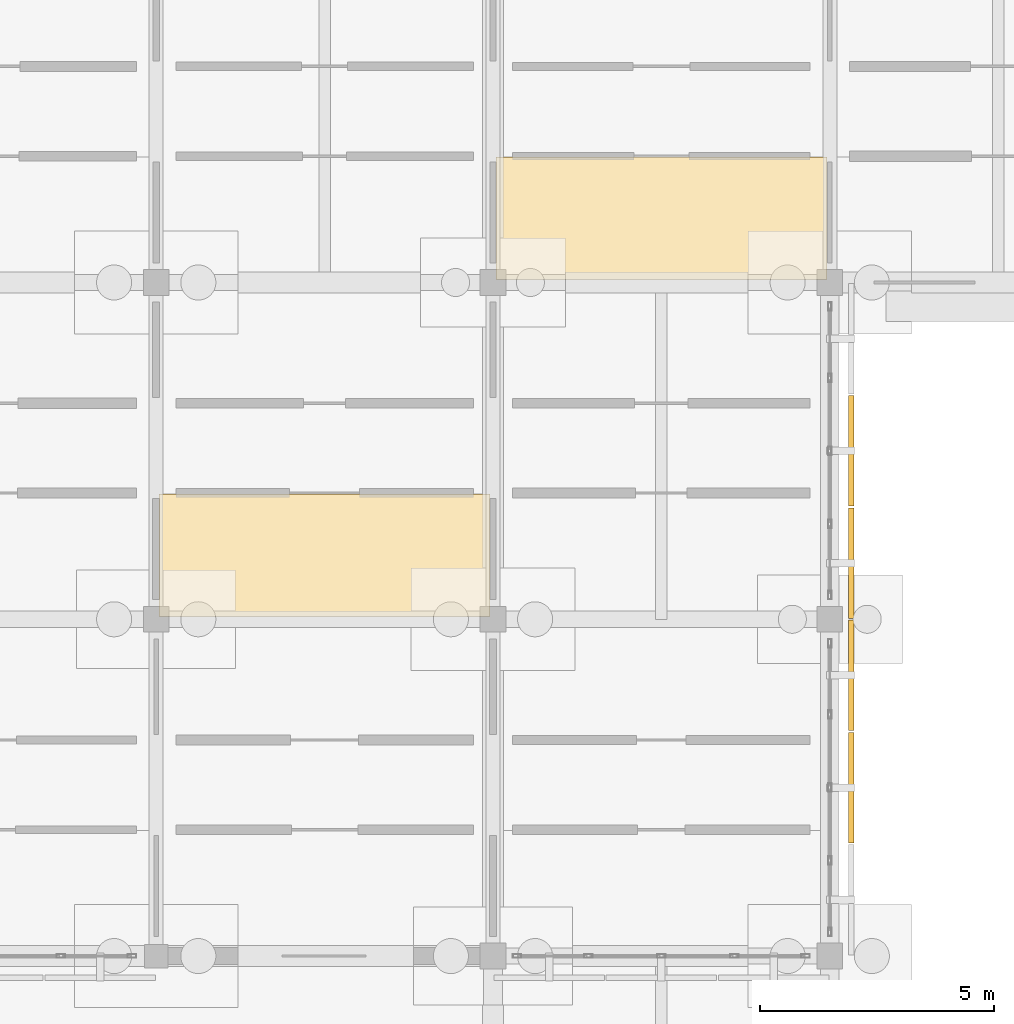
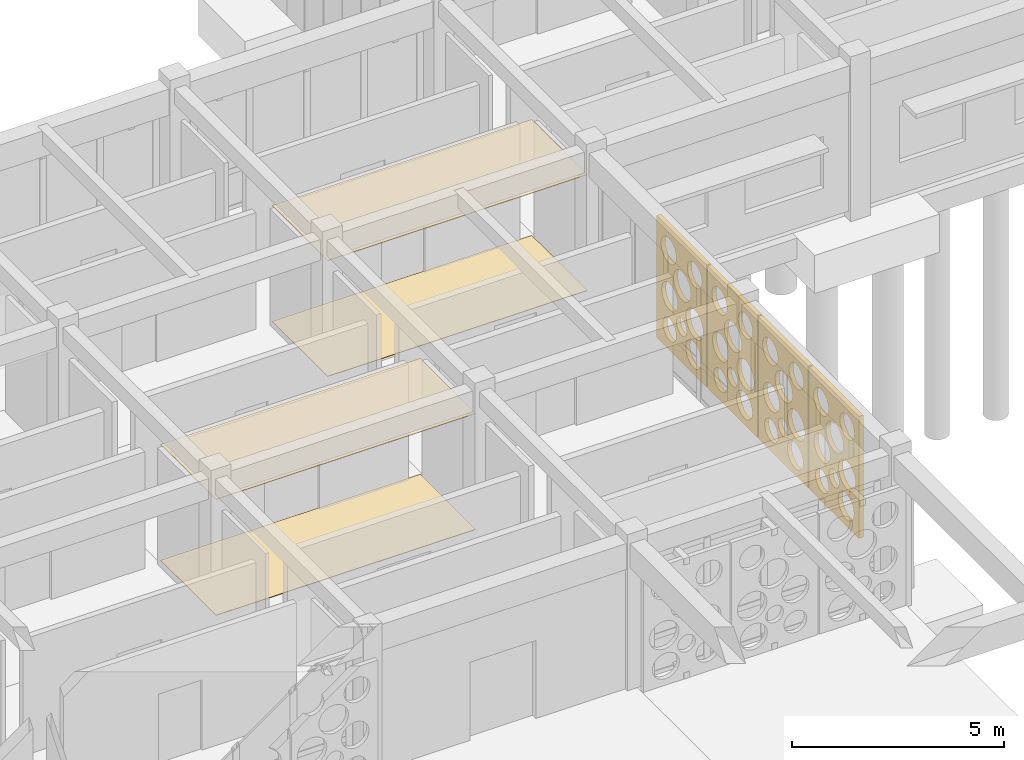
# One storey, part 101 of 111: 8 coverings.
"""IFC4 building model written with IfcOpenShell, lengths in metres."""

from ifc_helpers import new_model, si_unit, direction, frame, origin, place, context, subcontext, project, spatial, polyline, outline, extrude, material, layer, layer_set, type_object, element, save


model = new_model("IFC4")

# Units and contexts
model_context = context("Model", 3, precision=1e-05, world=origin(), true_north=direction((0.0, 1.0)))
body_context = subcontext(model_context, "Body", "Model", "MODEL_VIEW")
ifc_project = project(units=[si_unit("LENGTHUNIT", "METRE"), si_unit("AREAUNIT", "SQUARE_METRE"), si_unit("VOLUMEUNIT", "CUBIC_METRE"), si_unit("PLANEANGLEUNIT", "RADIAN"), si_unit("MASSUNIT", "GRAM", prefix="KILO")], contexts=[model_context])

# Site, building, storey
site_placement = place(None, origin())
site = spatial("IfcSite", under=ifc_project, at=site_placement, CompositionType="ELEMENT")
building_placement = place(site_placement, origin())
building = spatial("IfcBuilding", under=site, at=building_placement, Name="Aldebral Square Health Centre", CompositionType="ELEMENT")
storey_placement = place(building_placement, origin())
storey = spatial("IfcBuildingStorey", under=building, at=storey_placement, Name="L00", CompositionType="ELEMENT", Elevation=0.0)

# Coverings
ifc_material_1 = material(Name="Hygienic acoustic mineral ceiling tile")
ifc_layer_1 = layer(ifc_material_1, 0.02001953125, Name="Hygienic acoustic mineral ceiling tile")
ifc_layer_set_1 = layer_set([ifc_layer_1], Name="Hygienic acoustic mineral ceiling tile")
covering_type_1 = type_object("IfcCoveringType", Name="COV-CLG-AC", PredefinedType="CEILING", material=ifc_layer_set_1)
covering_1_placement = place(storey_placement, frame((0.0, 0.0, 3.340087890625)))
element("IfcCovering", 1, at=covering_1_placement, inside=storey, type_object=covering_type_1, Name="L00 Outpatient Registration 14.13S acoustic ceiling", PredefinedType="CEILING", context=body_context, shape_type="SweptSolid", body=[
    extrude(outline(polyline([(93.659912109375, 86.4599609375), (100.739990234375, 86.4599609375), (100.739990234375, 89.080078125), (93.659912109375, 89.080078125), (93.659912109375, 86.4599609375)])), origin(), (0.0, 0.0, 1.0), 0.02001953125),
])
covering_2_placement = place(storey_placement, frame((0.0, 0.0, 3.340087890625)))
element("IfcCovering", 2, at=covering_2_placement, inside=storey, type_object=covering_type_1, Name="L00 Waiting Hall 15.14S acoustic ceiling", PredefinedType="CEILING", context=body_context, shape_type="SweptSolid", body=[
    extrude(outline(polyline([(100.860107421875, 93.659912109375), (107.93994140625, 93.659912109375), (107.93994140625, 96.280029296875), (100.860107421875, 96.280029296875), (100.860107421875, 93.659912109375)])), origin(), (0.0, 0.0, 1.0), 0.02001953125),
])
ifc_material_2 = material(Name="Antimicrobial clinical vinyl flooring")
ifc_layer_2 = layer(ifc_material_2, 0.014892578125, Name="Antimicrobial clinical vinyl flooring")
ifc_layer_set_2 = layer_set([ifc_layer_2], Name="Antimicrobial clinical vinyl flooring")
covering_type_2 = type_object("IfcCoveringType", Name="COV-FLR-VN", PredefinedType="FLOORING", material=ifc_layer_set_2)
covering_3_placement = place(storey_placement, origin())
element("IfcCovering", 3, at=covering_3_placement, inside=storey, type_object=covering_type_2, Name="L00 Outpatient Registration 14.13S clinical flooring", PredefinedType="FLOORING", context=body_context, shape_type="SweptSolid", body=[
    extrude(outline(polyline([(93.659912109375, 86.4599609375), (100.739990234375, 86.4599609375), (100.739990234375, 89.080078125), (93.659912109375, 89.080078125), (93.659912109375, 86.4599609375)])), origin(), (0.0, 0.0, 1.0), 0.014892578125),
])
covering_4_placement = place(storey_placement, origin())
element("IfcCovering", 4, at=covering_4_placement, inside=storey, type_object=covering_type_2, Name="L00 Waiting Hall 15.14S clinical flooring", PredefinedType="FLOORING", context=body_context, shape_type="SweptSolid", body=[
    extrude(outline(polyline([(100.860107421875, 93.659912109375), (107.93994140625, 93.659912109375), (107.93994140625, 96.280029296875), (100.860107421875, 96.280029296875), (100.860107421875, 93.659912109375)])), origin(), (0.0, 0.0, 1.0), 0.014892578125),
])
ifc_material_3 = material(Name="Cream cantera perforated stone screen", Category="masonry")
ifc_layer_3 = layer(ifc_material_3, 0.1201171875, Name="Cream cantera perforated stone screen", Category="masonry")
ifc_layer_set_3 = layer_set([ifc_layer_3], Name="Cream cantera perforated stone screen")
covering_type_3 = type_object("IfcCoveringType", Name="COV-SCR-120", PredefinedType="CLADDING", material=ifc_layer_set_3)
covering_5_placement = place(storey_placement, frame((108.4599609375, 81.6201171875, 0.0), z_axis=(0.0, 0.0, 1.0), x_axis=(0.0, 1.0, 0.0)))
element("IfcCovering", 5, at=covering_5_placement, inside=storey, type_object=covering_type_3, Name="L00 V1 circular-aperture stone screen L00-V1-14-11-E.2", PredefinedType="CLADDING", context=body_context, shape_type="SweptSolid", body=[
    extrude(outline(polyline([(0.0, 0.0), (2.35986328125, 0.0), (2.35986328125, 3.52001953125), (0.0, 3.52001953125), (0.0, 0.0)]), holes=[polyline([(0.987548828125, 0.563232421875), (0.96923828125, 0.44775390625), (0.916015625, 0.343505859375), (0.833251953125, 0.2607421875), (0.729248046875, 0.20751953125), (0.613525390625, 0.189208984375), (0.498046875, 0.20751953125), (0.393798828125, 0.2607421875), (0.31103515625, 0.343505859375), (0.258056640625, 0.44775390625), (0.23974609375, 0.563232421875), (0.258056640625, 0.6787109375), (0.31103515625, 0.782958984375), (0.393798828125, 0.86572265625), (0.498046875, 0.918701171875), (0.613525390625, 0.93701171875), (0.729248046875, 0.918701171875), (0.833251953125, 0.86572265625), (0.916015625, 0.782958984375), (0.96923828125, 0.6787109375), (0.987548828125, 0.563232421875)]), polyline([(2.0615234375, 0.598388671875), (2.046142578125, 0.5009765625), (2.00146484375, 0.4130859375), (1.931640625, 0.343505859375), (1.84375, 0.298583984375), (1.746337890625, 0.283203125), (1.64892578125, 0.298583984375), (1.56103515625, 0.343505859375), (1.491455078125, 0.4130859375), (1.446533203125, 0.5009765625), (1.43115234375, 0.598388671875), (1.446533203125, 0.69580078125), (1.491455078125, 0.78369140625), (1.56103515625, 0.853515625), (1.64892578125, 0.898193359375), (1.746337890625, 0.91357421875), (1.84375, 0.898193359375), (1.931640625, 0.853515625), (2.00146484375, 0.78369140625), (2.046142578125, 0.69580078125), (2.0615234375, 0.598388671875)]), polyline([(0.974609375, 1.478515625), (0.95458984375, 1.352294921875), (0.896728515625, 1.238525390625), (0.806396484375, 1.148193359375), (0.692626953125, 1.090087890625), (0.56640625, 1.0703125), (0.440185546875, 1.090087890625), (0.326416015625, 1.148193359375), (0.236083984375, 1.238525390625), (0.17822265625, 1.352294921875), (0.158203125, 1.478515625), (0.17822265625, 1.6044921875), (0.236083984375, 1.71826171875), (0.326416015625, 1.80859375), (0.440185546875, 1.86669921875), (0.56640625, 1.88671875), (0.692626953125, 1.86669921875), (0.806396484375, 1.80859375), (0.896728515625, 1.71826171875), (0.95458984375, 1.6044921875), (0.974609375, 1.478515625)]), polyline([(2.127197265625, 1.548828125), (2.1083984375, 1.43115234375), (2.054443359375, 1.324951171875), (1.97021484375, 1.24072265625), (1.864013671875, 1.186767578125), (1.746337890625, 1.168212890625), (1.628662109375, 1.186767578125), (1.522705078125, 1.24072265625), (1.4384765625, 1.324951171875), (1.38427734375, 1.43115234375), (1.36572265625, 1.548828125), (1.38427734375, 1.66650390625), (1.4384765625, 1.7724609375), (1.522705078125, 1.856689453125), (1.628662109375, 1.910888671875), (1.746337890625, 1.929443359375), (1.864013671875, 1.910888671875), (1.97021484375, 1.856689453125), (2.054443359375, 1.7724609375), (2.1083984375, 1.66650390625), (2.127197265625, 1.548828125)]), polyline([(1.42529296875, 1.020751953125), (1.413330078125, 0.945068359375), (1.37841796875, 0.87646484375), (1.32421875, 0.822265625), (1.255859375, 0.787353515625), (1.179931640625, 0.775390625), (1.104248046875, 0.787353515625), (1.03564453125, 0.822265625), (0.9814453125, 0.87646484375), (0.946533203125, 0.945068359375), (0.9345703125, 1.020751953125), (0.946533203125, 1.0966796875), (0.9814453125, 1.1650390625), (1.03564453125, 1.21923828125), (1.104248046875, 1.254150390625), (1.179931640625, 1.26611328125), (1.255859375, 1.254150390625), (1.32421875, 1.21923828125), (1.37841796875, 1.1650390625), (1.413330078125, 1.0966796875), (1.42529296875, 1.020751953125)]), polyline([(1.5673828125, 2.217529296875), (1.54736328125, 2.090576171875), (1.489013671875, 1.97607421875), (1.39794921875, 1.885009765625), (1.283447265625, 1.82666015625), (1.156494140625, 1.806396484375), (1.029296875, 1.82666015625), (0.914794921875, 1.885009765625), (0.82373046875, 1.97607421875), (0.765380859375, 2.090576171875), (0.745361328125, 2.217529296875), (0.765380859375, 2.3447265625), (0.82373046875, 2.459228515625), (0.914794921875, 2.55029296875), (1.029296875, 2.608642578125), (1.156494140625, 2.628662109375), (1.283447265625, 2.608642578125), (1.39794921875, 2.55029296875), (1.489013671875, 2.459228515625), (1.54736328125, 2.3447265625), (1.5673828125, 2.217529296875)]), polyline([(0.91162109375, 2.886474609375), (0.894775390625, 2.77978515625), (0.845703125, 2.68359375), (0.769287109375, 2.607177734375), (0.673095703125, 2.55810546875), (0.56640625, 2.541259765625), (0.459716796875, 2.55810546875), (0.363525390625, 2.607177734375), (0.287109375, 2.68359375), (0.238037109375, 2.77978515625), (0.22119140625, 2.886474609375), (0.238037109375, 2.9931640625), (0.287109375, 3.08935546875), (0.363525390625, 3.165771484375), (0.459716796875, 3.214599609375), (0.56640625, 3.231689453125), (0.673095703125, 3.214599609375), (0.769287109375, 3.165771484375), (0.845703125, 3.08935546875), (0.894775390625, 2.9931640625), (0.91162109375, 2.886474609375)]), polyline([(2.15380859375, 2.851318359375), (2.13623046875, 2.739990234375), (2.0849609375, 2.639404296875), (2.00537109375, 2.559814453125), (1.905029296875, 2.508544921875), (1.793701171875, 2.490966796875), (1.682373046875, 2.508544921875), (1.581787109375, 2.559814453125), (1.502197265625, 2.639404296875), (1.450927734375, 2.739990234375), (1.433349609375, 2.851318359375), (1.450927734375, 2.96240234375), (1.502197265625, 3.06298828125), (1.581787109375, 3.142578125), (1.682373046875, 3.19384765625), (1.793701171875, 3.21142578125), (1.905029296875, 3.19384765625), (2.00537109375, 3.142578125), (2.0849609375, 3.06298828125), (2.13623046875, 2.96240234375), (2.15380859375, 2.851318359375)])]), frame((0.0, 0.06005859375, 0.0), z_axis=(0.0, -1.0, 0.0), x_axis=(1.0, 0.0, 0.0)), (0.0, 0.0, 1.0), 0.1201171875),
])
covering_6_placement = place(storey_placement, frame((108.4599609375, 84.02001953125, 0.0), z_axis=(0.0, 0.0, 1.0), x_axis=(0.0, 1.0, 0.0)))
element("IfcCovering", 6, at=covering_6_placement, inside=storey, type_object=covering_type_3, Name="L00 V1 circular-aperture stone screen L00-V1-14-11-E.3", PredefinedType="CLADDING", context=body_context, shape_type="SweptSolid", body=[
    extrude(outline(polyline([(0.0, 0.0), (2.35986328125, 0.0), (2.35986328125, 3.52001953125), (0.0, 3.52001953125), (0.0, 0.0)]), holes=[polyline([(0.987548828125, 0.563232421875), (0.96923828125, 0.44775390625), (0.916015625, 0.343505859375), (0.833251953125, 0.2607421875), (0.729248046875, 0.20751953125), (0.613525390625, 0.189208984375), (0.498046875, 0.20751953125), (0.393798828125, 0.2607421875), (0.31103515625, 0.343505859375), (0.258056640625, 0.44775390625), (0.23974609375, 0.563232421875), (0.258056640625, 0.6787109375), (0.31103515625, 0.782958984375), (0.393798828125, 0.86572265625), (0.498046875, 0.918701171875), (0.613525390625, 0.93701171875), (0.729248046875, 0.918701171875), (0.833251953125, 0.86572265625), (0.916015625, 0.782958984375), (0.96923828125, 0.6787109375), (0.987548828125, 0.563232421875)]), polyline([(2.0615234375, 0.598388671875), (2.046142578125, 0.5009765625), (2.00146484375, 0.4130859375), (1.931640625, 0.343505859375), (1.84375, 0.298583984375), (1.746337890625, 0.283203125), (1.64892578125, 0.298583984375), (1.56103515625, 0.343505859375), (1.491455078125, 0.4130859375), (1.446533203125, 0.5009765625), (1.43115234375, 0.598388671875), (1.446533203125, 0.69580078125), (1.491455078125, 0.78369140625), (1.56103515625, 0.853515625), (1.64892578125, 0.898193359375), (1.746337890625, 0.91357421875), (1.84375, 0.898193359375), (1.931640625, 0.853515625), (2.00146484375, 0.78369140625), (2.046142578125, 0.69580078125), (2.0615234375, 0.598388671875)]), polyline([(0.974609375, 1.478515625), (0.95458984375, 1.352294921875), (0.896728515625, 1.238525390625), (0.806396484375, 1.148193359375), (0.692626953125, 1.090087890625), (0.56640625, 1.0703125), (0.440185546875, 1.090087890625), (0.326416015625, 1.148193359375), (0.236083984375, 1.238525390625), (0.17822265625, 1.352294921875), (0.158203125, 1.478515625), (0.17822265625, 1.6044921875), (0.236083984375, 1.71826171875), (0.326416015625, 1.80859375), (0.440185546875, 1.86669921875), (0.56640625, 1.88671875), (0.692626953125, 1.86669921875), (0.806396484375, 1.80859375), (0.896728515625, 1.71826171875), (0.95458984375, 1.6044921875), (0.974609375, 1.478515625)]), polyline([(2.127197265625, 1.548828125), (2.1083984375, 1.43115234375), (2.054443359375, 1.324951171875), (1.97021484375, 1.24072265625), (1.864013671875, 1.186767578125), (1.746337890625, 1.168212890625), (1.628662109375, 1.186767578125), (1.522705078125, 1.24072265625), (1.4384765625, 1.324951171875), (1.38427734375, 1.43115234375), (1.36572265625, 1.548828125), (1.38427734375, 1.66650390625), (1.4384765625, 1.7724609375), (1.522705078125, 1.856689453125), (1.628662109375, 1.910888671875), (1.746337890625, 1.929443359375), (1.864013671875, 1.910888671875), (1.97021484375, 1.856689453125), (2.054443359375, 1.7724609375), (2.1083984375, 1.66650390625), (2.127197265625, 1.548828125)]), polyline([(1.42529296875, 1.020751953125), (1.413330078125, 0.945068359375), (1.37841796875, 0.87646484375), (1.32421875, 0.822265625), (1.255859375, 0.787353515625), (1.179931640625, 0.775390625), (1.104248046875, 0.787353515625), (1.03564453125, 0.822265625), (0.9814453125, 0.87646484375), (0.946533203125, 0.945068359375), (0.9345703125, 1.020751953125), (0.946533203125, 1.0966796875), (0.9814453125, 1.1650390625), (1.03564453125, 1.21923828125), (1.104248046875, 1.254150390625), (1.179931640625, 1.26611328125), (1.255859375, 1.254150390625), (1.32421875, 1.21923828125), (1.37841796875, 1.1650390625), (1.413330078125, 1.0966796875), (1.42529296875, 1.020751953125)]), polyline([(1.5673828125, 2.217529296875), (1.54736328125, 2.090576171875), (1.489013671875, 1.97607421875), (1.39794921875, 1.885009765625), (1.283447265625, 1.82666015625), (1.156494140625, 1.806396484375), (1.029296875, 1.82666015625), (0.914794921875, 1.885009765625), (0.82373046875, 1.97607421875), (0.765380859375, 2.090576171875), (0.745361328125, 2.217529296875), (0.765380859375, 2.3447265625), (0.82373046875, 2.459228515625), (0.914794921875, 2.55029296875), (1.029296875, 2.608642578125), (1.156494140625, 2.628662109375), (1.283447265625, 2.608642578125), (1.39794921875, 2.55029296875), (1.489013671875, 2.459228515625), (1.54736328125, 2.3447265625), (1.5673828125, 2.217529296875)]), polyline([(0.91162109375, 2.886474609375), (0.894775390625, 2.77978515625), (0.845703125, 2.68359375), (0.769287109375, 2.607177734375), (0.673095703125, 2.55810546875), (0.56640625, 2.541259765625), (0.459716796875, 2.55810546875), (0.363525390625, 2.607177734375), (0.287109375, 2.68359375), (0.238037109375, 2.77978515625), (0.22119140625, 2.886474609375), (0.238037109375, 2.9931640625), (0.287109375, 3.08935546875), (0.363525390625, 3.165771484375), (0.459716796875, 3.214599609375), (0.56640625, 3.231689453125), (0.673095703125, 3.214599609375), (0.769287109375, 3.165771484375), (0.845703125, 3.08935546875), (0.894775390625, 2.9931640625), (0.91162109375, 2.886474609375)]), polyline([(2.15380859375, 2.851318359375), (2.13623046875, 2.739990234375), (2.0849609375, 2.639404296875), (2.00537109375, 2.559814453125), (1.905029296875, 2.508544921875), (1.793701171875, 2.490966796875), (1.682373046875, 2.508544921875), (1.581787109375, 2.559814453125), (1.502197265625, 2.639404296875), (1.450927734375, 2.739990234375), (1.433349609375, 2.851318359375), (1.450927734375, 2.96240234375), (1.502197265625, 3.06298828125), (1.581787109375, 3.142578125), (1.682373046875, 3.19384765625), (1.793701171875, 3.21142578125), (1.905029296875, 3.19384765625), (2.00537109375, 3.142578125), (2.0849609375, 3.06298828125), (2.13623046875, 2.96240234375), (2.15380859375, 2.851318359375)])]), frame((0.0, 0.06005859375, 0.0), z_axis=(0.0, -1.0, 0.0), x_axis=(1.0, 0.0, 0.0)), (0.0, 0.0, 1.0), 0.1201171875),
])
covering_7_placement = place(storey_placement, frame((108.4599609375, 86.419921875, 0.0), z_axis=(0.0, 0.0, 1.0), x_axis=(0.0, 1.0, 0.0)))
element("IfcCovering", 7, at=covering_7_placement, inside=storey, type_object=covering_type_3, Name="L00 V1 circular-aperture stone screen L00-V1-14-12-E.1", PredefinedType="CLADDING", context=body_context, shape_type="SweptSolid", body=[
    extrude(outline(polyline([(0.0, 0.0), (2.360107421875, 0.0), (2.360107421875, 3.52001953125), (0.0, 3.52001953125), (0.0, 0.0)]), holes=[polyline([(0.987548828125, 0.563232421875), (0.96923828125, 0.44775390625), (0.916015625, 0.343505859375), (0.833251953125, 0.2607421875), (0.729248046875, 0.20751953125), (0.613525390625, 0.189208984375), (0.498046875, 0.20751953125), (0.393798828125, 0.2607421875), (0.31103515625, 0.343505859375), (0.258056640625, 0.44775390625), (0.23974609375, 0.563232421875), (0.258056640625, 0.6787109375), (0.31103515625, 0.782958984375), (0.393798828125, 0.86572265625), (0.498046875, 0.918701171875), (0.613525390625, 0.93701171875), (0.729248046875, 0.918701171875), (0.833251953125, 0.86572265625), (0.916015625, 0.782958984375), (0.96923828125, 0.6787109375), (0.987548828125, 0.563232421875)]), polyline([(2.0615234375, 0.598388671875), (2.046142578125, 0.5009765625), (2.00146484375, 0.4130859375), (1.931640625, 0.343505859375), (1.84375, 0.298583984375), (1.746337890625, 0.283203125), (1.64892578125, 0.298583984375), (1.56103515625, 0.343505859375), (1.491455078125, 0.4130859375), (1.446533203125, 0.5009765625), (1.43115234375, 0.598388671875), (1.446533203125, 0.69580078125), (1.491455078125, 0.78369140625), (1.56103515625, 0.853515625), (1.64892578125, 0.898193359375), (1.746337890625, 0.91357421875), (1.84375, 0.898193359375), (1.931640625, 0.853515625), (2.00146484375, 0.78369140625), (2.046142578125, 0.69580078125), (2.0615234375, 0.598388671875)]), polyline([(0.974609375, 1.478515625), (0.95458984375, 1.352294921875), (0.896728515625, 1.238525390625), (0.806396484375, 1.148193359375), (0.692626953125, 1.090087890625), (0.56640625, 1.0703125), (0.440185546875, 1.090087890625), (0.326416015625, 1.148193359375), (0.236083984375, 1.238525390625), (0.17822265625, 1.352294921875), (0.158203125, 1.478515625), (0.17822265625, 1.6044921875), (0.236083984375, 1.71826171875), (0.326416015625, 1.80859375), (0.440185546875, 1.86669921875), (0.56640625, 1.88671875), (0.692626953125, 1.86669921875), (0.806396484375, 1.80859375), (0.896728515625, 1.71826171875), (0.95458984375, 1.6044921875), (0.974609375, 1.478515625)]), polyline([(2.127197265625, 1.548828125), (2.1083984375, 1.43115234375), (2.054443359375, 1.324951171875), (1.97021484375, 1.24072265625), (1.864013671875, 1.186767578125), (1.746337890625, 1.168212890625), (1.628662109375, 1.186767578125), (1.522705078125, 1.24072265625), (1.4384765625, 1.324951171875), (1.38427734375, 1.43115234375), (1.36572265625, 1.548828125), (1.38427734375, 1.66650390625), (1.4384765625, 1.7724609375), (1.522705078125, 1.856689453125), (1.628662109375, 1.910888671875), (1.746337890625, 1.929443359375), (1.864013671875, 1.910888671875), (1.97021484375, 1.856689453125), (2.054443359375, 1.7724609375), (2.1083984375, 1.66650390625), (2.127197265625, 1.548828125)]), polyline([(1.42529296875, 1.020751953125), (1.413330078125, 0.945068359375), (1.37841796875, 0.87646484375), (1.32421875, 0.822265625), (1.255859375, 0.787353515625), (1.179931640625, 0.775390625), (1.104248046875, 0.787353515625), (1.03564453125, 0.822265625), (0.9814453125, 0.87646484375), (0.946533203125, 0.945068359375), (0.9345703125, 1.020751953125), (0.946533203125, 1.0966796875), (0.9814453125, 1.1650390625), (1.03564453125, 1.21923828125), (1.104248046875, 1.254150390625), (1.179931640625, 1.26611328125), (1.255859375, 1.254150390625), (1.32421875, 1.21923828125), (1.37841796875, 1.1650390625), (1.413330078125, 1.0966796875), (1.42529296875, 1.020751953125)]), polyline([(1.5673828125, 2.217529296875), (1.54736328125, 2.090576171875), (1.489013671875, 1.97607421875), (1.39794921875, 1.885009765625), (1.283447265625, 1.82666015625), (1.156494140625, 1.806396484375), (1.029296875, 1.82666015625), (0.914794921875, 1.885009765625), (0.82373046875, 1.97607421875), (0.765380859375, 2.090576171875), (0.745361328125, 2.217529296875), (0.765380859375, 2.3447265625), (0.82373046875, 2.459228515625), (0.914794921875, 2.55029296875), (1.029296875, 2.608642578125), (1.156494140625, 2.628662109375), (1.283447265625, 2.608642578125), (1.39794921875, 2.55029296875), (1.489013671875, 2.459228515625), (1.54736328125, 2.3447265625), (1.5673828125, 2.217529296875)]), polyline([(0.91162109375, 2.886474609375), (0.894775390625, 2.77978515625), (0.845703125, 2.68359375), (0.769287109375, 2.607177734375), (0.673095703125, 2.55810546875), (0.56640625, 2.541259765625), (0.459716796875, 2.55810546875), (0.363525390625, 2.607177734375), (0.287109375, 2.68359375), (0.238037109375, 2.77978515625), (0.22119140625, 2.886474609375), (0.238037109375, 2.9931640625), (0.287109375, 3.08935546875), (0.363525390625, 3.165771484375), (0.459716796875, 3.214599609375), (0.56640625, 3.231689453125), (0.673095703125, 3.214599609375), (0.769287109375, 3.165771484375), (0.845703125, 3.08935546875), (0.894775390625, 2.9931640625), (0.91162109375, 2.886474609375)]), polyline([(2.15380859375, 2.851318359375), (2.13623046875, 2.739990234375), (2.0849609375, 2.639404296875), (2.00537109375, 2.559814453125), (1.905029296875, 2.508544921875), (1.793701171875, 2.490966796875), (1.682373046875, 2.508544921875), (1.581787109375, 2.559814453125), (1.502197265625, 2.639404296875), (1.450927734375, 2.739990234375), (1.433349609375, 2.851318359375), (1.450927734375, 2.96240234375), (1.502197265625, 3.06298828125), (1.581787109375, 3.142578125), (1.682373046875, 3.19384765625), (1.793701171875, 3.21142578125), (1.905029296875, 3.19384765625), (2.00537109375, 3.142578125), (2.0849609375, 3.06298828125), (2.13623046875, 2.96240234375), (2.15380859375, 2.851318359375)])]), frame((0.0, 0.06005859375, 0.0), z_axis=(0.0, -1.0, 0.0), x_axis=(1.0, 0.0, 0.0)), (0.0, 0.0, 1.0), 0.1201171875),
])
covering_8_placement = place(storey_placement, frame((108.4599609375, 88.820068359375, 0.0), z_axis=(0.0, 0.0, 1.0), x_axis=(0.0, 1.0, 0.0)))
element("IfcCovering", 8, at=covering_8_placement, inside=storey, type_object=covering_type_3, Name="L00 V1 circular-aperture stone screen L00-V1-14-12-E.2", PredefinedType="CLADDING", context=body_context, shape_type="SweptSolid", body=[
    extrude(outline(polyline([(0.0, 0.0), (2.35986328125, 0.0), (2.35986328125, 3.52001953125), (0.0, 3.52001953125), (0.0, 0.0)]), holes=[polyline([(0.987548828125, 0.563232421875), (0.96923828125, 0.44775390625), (0.916015625, 0.343505859375), (0.833251953125, 0.2607421875), (0.729248046875, 0.20751953125), (0.613525390625, 0.189208984375), (0.498046875, 0.20751953125), (0.393798828125, 0.2607421875), (0.31103515625, 0.343505859375), (0.258056640625, 0.44775390625), (0.23974609375, 0.563232421875), (0.258056640625, 0.6787109375), (0.31103515625, 0.782958984375), (0.393798828125, 0.86572265625), (0.498046875, 0.918701171875), (0.613525390625, 0.93701171875), (0.729248046875, 0.918701171875), (0.833251953125, 0.86572265625), (0.916015625, 0.782958984375), (0.96923828125, 0.6787109375), (0.987548828125, 0.563232421875)]), polyline([(2.0615234375, 0.598388671875), (2.046142578125, 0.5009765625), (2.00146484375, 0.4130859375), (1.931640625, 0.343505859375), (1.84375, 0.298583984375), (1.746337890625, 0.283203125), (1.64892578125, 0.298583984375), (1.56103515625, 0.343505859375), (1.491455078125, 0.4130859375), (1.446533203125, 0.5009765625), (1.43115234375, 0.598388671875), (1.446533203125, 0.69580078125), (1.491455078125, 0.78369140625), (1.56103515625, 0.853515625), (1.64892578125, 0.898193359375), (1.746337890625, 0.91357421875), (1.84375, 0.898193359375), (1.931640625, 0.853515625), (2.00146484375, 0.78369140625), (2.046142578125, 0.69580078125), (2.0615234375, 0.598388671875)]), polyline([(0.974609375, 1.478515625), (0.95458984375, 1.352294921875), (0.896728515625, 1.238525390625), (0.806396484375, 1.148193359375), (0.692626953125, 1.090087890625), (0.56640625, 1.0703125), (0.440185546875, 1.090087890625), (0.326416015625, 1.148193359375), (0.236083984375, 1.238525390625), (0.17822265625, 1.352294921875), (0.158203125, 1.478515625), (0.17822265625, 1.6044921875), (0.236083984375, 1.71826171875), (0.326416015625, 1.80859375), (0.440185546875, 1.86669921875), (0.56640625, 1.88671875), (0.692626953125, 1.86669921875), (0.806396484375, 1.80859375), (0.896728515625, 1.71826171875), (0.95458984375, 1.6044921875), (0.974609375, 1.478515625)]), polyline([(2.127197265625, 1.548828125), (2.1083984375, 1.43115234375), (2.054443359375, 1.324951171875), (1.97021484375, 1.24072265625), (1.864013671875, 1.186767578125), (1.746337890625, 1.168212890625), (1.628662109375, 1.186767578125), (1.522705078125, 1.24072265625), (1.4384765625, 1.324951171875), (1.38427734375, 1.43115234375), (1.36572265625, 1.548828125), (1.38427734375, 1.66650390625), (1.4384765625, 1.7724609375), (1.522705078125, 1.856689453125), (1.628662109375, 1.910888671875), (1.746337890625, 1.929443359375), (1.864013671875, 1.910888671875), (1.97021484375, 1.856689453125), (2.054443359375, 1.7724609375), (2.1083984375, 1.66650390625), (2.127197265625, 1.548828125)]), polyline([(1.42529296875, 1.020751953125), (1.413330078125, 0.945068359375), (1.37841796875, 0.87646484375), (1.32421875, 0.822265625), (1.255859375, 0.787353515625), (1.179931640625, 0.775390625), (1.104248046875, 0.787353515625), (1.03564453125, 0.822265625), (0.9814453125, 0.87646484375), (0.946533203125, 0.945068359375), (0.9345703125, 1.020751953125), (0.946533203125, 1.0966796875), (0.9814453125, 1.1650390625), (1.03564453125, 1.21923828125), (1.104248046875, 1.254150390625), (1.179931640625, 1.26611328125), (1.255859375, 1.254150390625), (1.32421875, 1.21923828125), (1.37841796875, 1.1650390625), (1.413330078125, 1.0966796875), (1.42529296875, 1.020751953125)]), polyline([(1.5673828125, 2.217529296875), (1.54736328125, 2.090576171875), (1.489013671875, 1.97607421875), (1.39794921875, 1.885009765625), (1.283447265625, 1.82666015625), (1.156494140625, 1.806396484375), (1.029296875, 1.82666015625), (0.914794921875, 1.885009765625), (0.82373046875, 1.97607421875), (0.765380859375, 2.090576171875), (0.745361328125, 2.217529296875), (0.765380859375, 2.3447265625), (0.82373046875, 2.459228515625), (0.914794921875, 2.55029296875), (1.029296875, 2.608642578125), (1.156494140625, 2.628662109375), (1.283447265625, 2.608642578125), (1.39794921875, 2.55029296875), (1.489013671875, 2.459228515625), (1.54736328125, 2.3447265625), (1.5673828125, 2.217529296875)]), polyline([(0.91162109375, 2.886474609375), (0.894775390625, 2.77978515625), (0.845703125, 2.68359375), (0.769287109375, 2.607177734375), (0.673095703125, 2.55810546875), (0.56640625, 2.541259765625), (0.459716796875, 2.55810546875), (0.363525390625, 2.607177734375), (0.287109375, 2.68359375), (0.238037109375, 2.77978515625), (0.22119140625, 2.886474609375), (0.238037109375, 2.9931640625), (0.287109375, 3.08935546875), (0.363525390625, 3.165771484375), (0.459716796875, 3.214599609375), (0.56640625, 3.231689453125), (0.673095703125, 3.214599609375), (0.769287109375, 3.165771484375), (0.845703125, 3.08935546875), (0.894775390625, 2.9931640625), (0.91162109375, 2.886474609375)]), polyline([(2.15380859375, 2.851318359375), (2.13623046875, 2.739990234375), (2.0849609375, 2.639404296875), (2.00537109375, 2.559814453125), (1.905029296875, 2.508544921875), (1.793701171875, 2.490966796875), (1.682373046875, 2.508544921875), (1.581787109375, 2.559814453125), (1.502197265625, 2.639404296875), (1.450927734375, 2.739990234375), (1.433349609375, 2.851318359375), (1.450927734375, 2.96240234375), (1.502197265625, 3.06298828125), (1.581787109375, 3.142578125), (1.682373046875, 3.19384765625), (1.793701171875, 3.21142578125), (1.905029296875, 3.19384765625), (2.00537109375, 3.142578125), (2.0849609375, 3.06298828125), (2.13623046875, 2.96240234375), (2.15380859375, 2.851318359375)])]), frame((0.0, 0.06005859375, 0.0), z_axis=(0.0, -1.0, 0.0), x_axis=(1.0, 0.0, 0.0)), (0.0, 0.0, 1.0), 0.1201171875),
])

save(model, "model.ifc")
